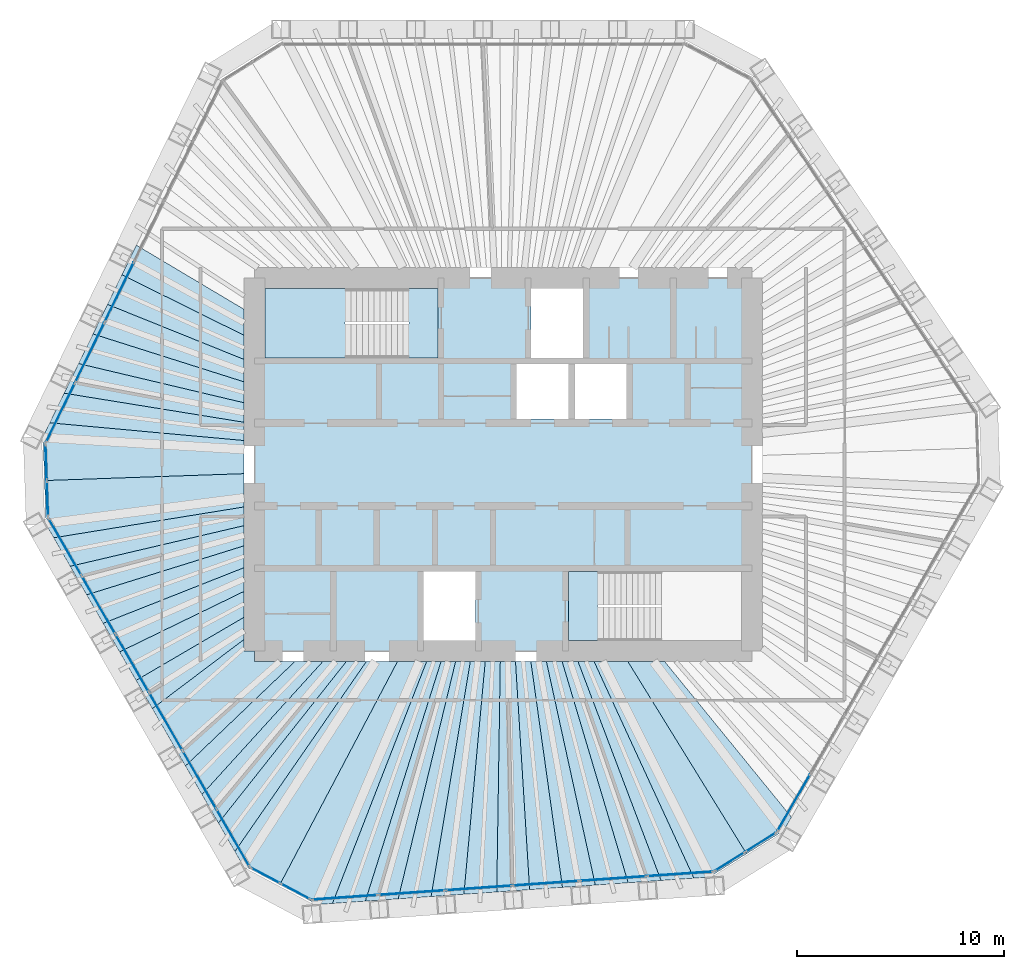
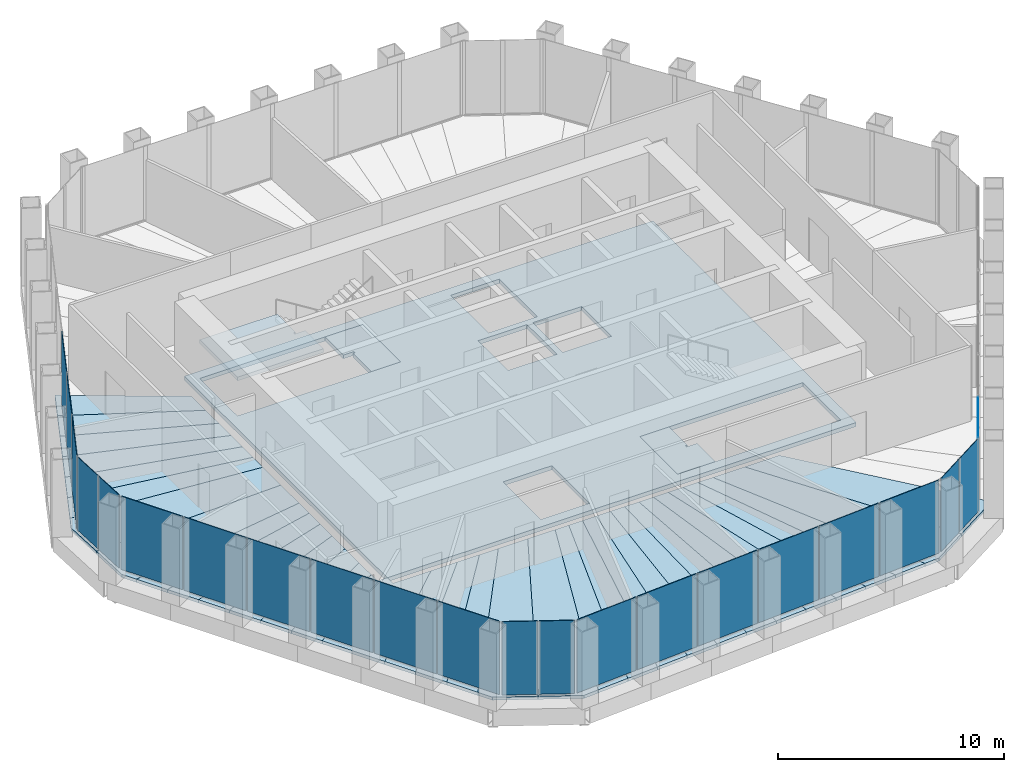
# One storey, part 9 of 14: 37 slabs, 22 plates, 9 elements without a shape of their own.
"""IFC4 building model written with IfcOpenShell, lengths in metres."""

from ifc_helpers import new_model, si_unit, direction, frame, origin, origin_2d, place, context, subcontext, project, spatial, polyline, rectangle, outline, extrude, material, layer, layer_set, type_object, element, aggregate, save


model = new_model("IFC4")

# Units and contexts
model_context = context("Model", 3, precision=1e-05, world=origin(), true_north=direction((0.0, 1.0)))
body_context = subcontext(model_context, "Body", "Model", "MODEL_VIEW")
ifc_project = project(units=[si_unit("LENGTHUNIT", "METRE"), si_unit("AREAUNIT", "SQUARE_METRE"), si_unit("VOLUMEUNIT", "CUBIC_METRE"), si_unit("PLANEANGLEUNIT", "RADIAN"), si_unit("MASSUNIT", "GRAM", prefix="KILO")], contexts=[model_context])

# Site, building, storey
site_placement = place(None, origin())
site = spatial("IfcSite", under=ifc_project, at=site_placement, CompositionType="ELEMENT")
building_placement = place(site_placement, origin())
building = spatial("IfcBuilding", under=site, at=building_placement, Name="Qingtian Harvest Tower", CompositionType="ELEMENT")
storey_placement = place(building_placement, frame((0.0, 0.0, 270.39990234375)))
storey = spatial("IfcBuildingStorey", under=building, at=storey_placement, Name="L59", CompositionType="ELEMENT", Elevation=270.39990234375)

# Slabs
ifc_material_1 = material(Name="Concrete fc' 35 MPa", Category="concrete")
ifc_layer_1 = layer(ifc_material_1, 0.169921875)
ifc_layer_set_1 = layer_set([ifc_layer_1], Name="Composite floor slab FS17 170")
slab_type_1 = type_object("IfcSlabType", Name="Composite floor slab FS17 170", PredefinedType="FLOOR", material=ifc_layer_set_1)
slab_1_placement = place(storey_placement, frame((0.0, 0.0, -0.169921875)))
element("IfcSlab", 1, at=slab_1_placement, inside=storey, type_object=slab_type_1, Name="Floor slab L59 panel D01", PredefinedType="FLOOR", context=body_context, shape_type="SweptSolid", body=[
    extrude(outline(polyline([(-22.1396484375, -0.7734375), (-12.5, -0.4404296875), (-12.5, -2.044921875), (-21.693603515625, -3.53564453125), (-22.06591796875, -2.890869140625), (-22.1396484375, -0.7734375)])), origin(), (0.0, 0.0, 1.0), 0.169921875),
])
slab_2_placement = place(storey_placement, frame((0.0, 0.0, -0.169921875)))
element("IfcSlab", 2, at=slab_2_placement, inside=storey, type_object=slab_type_1, Name="Floor slab L59 panel D02", PredefinedType="FLOOR", context=body_context, shape_type="SweptSolid", body=[
    extrude(outline(polyline([(-12.5, -2.94677734375), (-20.898681640625, -4.912109375), (-21.693603515625, -3.53564453125), (-12.5, -2.044921875), (-12.5, -2.94677734375)])), origin(), (0.0, 0.0, 1.0), 0.169921875),
])
slab_3_placement = place(storey_placement, frame((0.0, 0.0, -0.169921875)))
element("IfcSlab", 3, at=slab_3_placement, inside=storey, type_object=slab_type_1, Name="Floor slab L59 panel D03", PredefinedType="FLOOR", context=body_context, shape_type="SweptSolid", body=[
    extrude(outline(polyline([(-12.5, -3.919921875), (-20.10400390625, -6.288818359375), (-20.898681640625, -4.912109375), (-12.5, -2.94677734375), (-12.5, -3.919921875)])), origin(), (0.0, 0.0, 1.0), 0.169921875),
])
slab_4_placement = place(storey_placement, frame((0.0, 0.0, -0.169921875)))
element("IfcSlab", 4, at=slab_4_placement, inside=storey, type_object=slab_type_1, Name="Floor slab L59 panel D04", PredefinedType="FLOOR", context=body_context, shape_type="SweptSolid", body=[
    extrude(outline(polyline([(-12.5, -4.973388671875), (-19.30908203125, -7.66552734375), (-20.10400390625, -6.288818359375), (-12.5, -3.919921875), (-12.5, -4.973388671875)])), origin(), (0.0, 0.0, 1.0), 0.169921875),
])
slab_5_placement = place(storey_placement, frame((0.0, 0.0, -0.169921875)))
element("IfcSlab", 5, at=slab_5_placement, inside=storey, type_object=slab_type_1, Name="Floor slab L59 panel D05", PredefinedType="FLOOR", context=body_context, shape_type="SweptSolid", body=[
    extrude(outline(polyline([(-12.5, -6.1171875), (-18.51416015625, -9.042236328125), (-19.30908203125, -7.66552734375), (-12.5, -4.973388671875), (-12.5, -6.1171875)])), origin(), (0.0, 0.0, 1.0), 0.169921875),
])
slab_6_placement = place(storey_placement, frame((0.0, 0.0, -0.169921875)))
element("IfcSlab", 6, at=slab_6_placement, inside=storey, type_object=slab_type_1, Name="Floor slab L59 panel D06", PredefinedType="FLOOR", context=body_context, shape_type="SweptSolid", body=[
    extrude(outline(polyline([(-12.5, -7.364013671875), (-17.719482421875, -10.419189453125), (-18.51416015625, -9.042236328125), (-12.5, -6.1171875), (-12.5, -7.364013671875)])), origin(), (0.0, 0.0, 1.0), 0.169921875),
])
slab_7_placement = place(storey_placement, frame((0.0, 0.0, -0.169921875)))
element("IfcSlab", 7, at=slab_7_placement, inside=storey, type_object=slab_type_1, Name="Floor slab L59 panel D07", PredefinedType="FLOOR", context=body_context, shape_type="SweptSolid", body=[
    extrude(outline(polyline([(-12.5, -8.432373046875), (-16.93359375, -11.780029296875), (-17.719482421875, -10.419189453125), (-12.5, -7.364013671875), (-12.5, -8.432373046875)])), origin(), (0.0, 0.0, 1.0), 0.169921875),
])
slab_8_placement = place(storey_placement, frame((0.0, 0.0, -0.169921875)))
element("IfcSlab", 8, at=slab_8_placement, inside=storey, type_object=slab_type_1, Name="Floor slab L59 panel D09", PredefinedType="FLOOR", context=body_context, shape_type="SweptSolid", body=[
    extrude(outline(polyline([(-15.336181640625, -14.547119140625), (-16.93359375, -11.780029296875), (-12.5, -8.432373046875), (-12.5, -9.0), (-12.0, -9.0), (-12.0, -9.5), (-10.048828125, -9.5), (-15.336181640625, -14.547119140625)])), origin(), (0.0, 0.0, 1.0), 0.169921875),
])
slab_9_placement = place(storey_placement, frame((0.0, 0.0, -0.169921875)))
element("IfcSlab", 9, at=slab_9_placement, inside=storey, type_object=slab_type_1, Name="Floor slab L59 panel D10", PredefinedType="FLOOR", context=body_context, shape_type="SweptSolid", body=[
    extrude(outline(polyline([(-8.70068359375, -9.5), (-14.541259765625, -15.924072265625), (-15.336181640625, -14.547119140625), (-10.048828125, -9.5), (-8.70068359375, -9.5)])), origin(), (0.0, 0.0, 1.0), 0.169921875),
])
slab_10_placement = place(storey_placement, frame((0.0, 0.0, -0.169921875)))
element("IfcSlab", 10, at=slab_10_placement, inside=storey, type_object=slab_type_1, Name="Floor slab L59 panel D11", PredefinedType="FLOOR", context=body_context, shape_type="SweptSolid", body=[
    extrude(outline(polyline([(-7.568359375, -9.5), (-13.746337890625, -17.30078125), (-14.541259765625, -15.924072265625), (-8.70068359375, -9.5), (-7.568359375, -9.5)])), origin(), (0.0, 0.0, 1.0), 0.169921875),
])
slab_11_placement = place(storey_placement, frame((0.0, 0.0, -0.169921875)))
element("IfcSlab", 11, at=slab_11_placement, inside=storey, type_object=slab_type_1, Name="Floor slab L59 panel D12", PredefinedType="FLOOR", context=body_context, shape_type="SweptSolid", body=[
    extrude(outline(polyline([(-6.603515625, -9.5), (-12.951416015625, -18.677734375), (-13.746337890625, -17.30078125), (-7.568359375, -9.5), (-6.603515625, -9.5)])), origin(), (0.0, 0.0, 1.0), 0.169921875),
])
slab_12_placement = place(storey_placement, frame((0.0, 0.0, -0.169921875)))
element("IfcSlab", 12, at=slab_12_placement, inside=storey, type_object=slab_type_1, Name="Floor slab L59 panel D13", PredefinedType="FLOOR", context=body_context, shape_type="SweptSolid", body=[
    extrude(outline(polyline([(-6.603515625, -9.5), (-5.10009765625, -9.5), (-10.783447265625, -20.277099609375), (-12.5791015625, -19.322509765625), (-12.951416015625, -18.677734375), (-6.603515625, -9.5)])), origin(), (0.0, 0.0, 1.0), 0.169921875),
])
slab_13_placement = place(storey_placement, frame((0.0, 0.0, -0.169921875)))
element("IfcSlab", 13, at=slab_13_placement, inside=storey, type_object=slab_type_1, Name="Floor slab L59 panel D14", PredefinedType="FLOOR", context=body_context, shape_type="SweptSolid", body=[
    extrude(outline(polyline([(-5.10009765625, -9.5), (-3.696044921875, -9.5), (-8.24267578125, -21.181640625), (-8.98486328125, -21.2333984375), (-10.783447265625, -20.277099609375), (-5.10009765625, -9.5)])), origin(), (0.0, 0.0, 1.0), 0.169921875),
])
slab_14_placement = place(storey_placement, frame((0.0, 0.0, -0.169921875)))
element("IfcSlab", 14, at=slab_14_placement, inside=storey, type_object=slab_type_1, Name="Floor slab L59 panel D15", PredefinedType="FLOOR", context=body_context, shape_type="SweptSolid", body=[
    extrude(outline(polyline([(-3.00048828125, -9.5), (-6.656982421875, -21.07080078125), (-8.24267578125, -21.181640625), (-3.696044921875, -9.5), (-3.00048828125, -9.5)])), origin(), (0.0, 0.0, 1.0), 0.169921875),
])
slab_15_placement = place(storey_placement, frame((0.0, 0.0, -0.169921875)))
element("IfcSlab", 15, at=slab_15_placement, inside=storey, type_object=slab_type_1, Name="Floor slab L59 panel D16", PredefinedType="FLOOR", context=body_context, shape_type="SweptSolid", body=[
    extrude(outline(polyline([(-2.297607421875, -9.5), (-5.0712890625, -20.959716796875), (-6.656982421875, -21.07080078125), (-3.00048828125, -9.5), (-2.297607421875, -9.5)])), origin(), (0.0, 0.0, 1.0), 0.169921875),
])
slab_16_placement = place(storey_placement, frame((0.0, 0.0, -0.169921875)))
element("IfcSlab", 16, at=slab_16_placement, inside=storey, type_object=slab_type_1, Name="Floor slab L59 panel D17", PredefinedType="FLOOR", context=body_context, shape_type="SweptSolid", body=[
    extrude(outline(polyline([(-1.58740234375, -9.5), (-3.485595703125, -20.848876953125), (-5.0712890625, -20.959716796875), (-2.297607421875, -9.5), (-1.58740234375, -9.5)])), origin(), (0.0, 0.0, 1.0), 0.169921875),
])
slab_17_placement = place(storey_placement, frame((0.0, 0.0, -0.169921875)))
element("IfcSlab", 17, at=slab_17_placement, inside=storey, type_object=slab_type_1, Name="Floor slab L59 panel D18", PredefinedType="FLOOR", context=body_context, shape_type="SweptSolid", body=[
    extrude(outline(polyline([(-0.869384765625, -9.5), (-1.89990234375, -20.738037109375), (-3.485595703125, -20.848876953125), (-1.58740234375, -9.5), (-0.869384765625, -9.5)])), origin(), (0.0, 0.0, 1.0), 0.169921875),
])
slab_18_placement = place(storey_placement, frame((0.0, 0.0, -0.169921875)))
element("IfcSlab", 18, at=slab_18_placement, inside=storey, type_object=slab_type_1, Name="Floor slab L59 panel D19", PredefinedType="FLOOR", context=body_context, shape_type="SweptSolid", body=[
    extrude(outline(polyline([(-0.143798828125, -9.5), (-0.314208984375, -20.627197265625), (-1.89990234375, -20.738037109375), (-0.869384765625, -9.5), (-0.143798828125, -9.5)])), origin(), (0.0, 0.0, 1.0), 0.169921875),
])
slab_19_placement = place(storey_placement, frame((0.0, 0.0, -0.169921875)))
element("IfcSlab", 19, at=slab_19_placement, inside=storey, type_object=slab_type_1, Name="Floor slab L59 panel D20", PredefinedType="FLOOR", context=body_context, shape_type="SweptSolid", body=[
    extrude(outline(polyline([(0.58984375, -9.5), (1.271728515625, -20.516357421875), (-0.314208984375, -20.627197265625), (-0.143798828125, -9.5), (0.58984375, -9.5)])), origin(), (0.0, 0.0, 1.0), 0.169921875),
])
slab_20_placement = place(storey_placement, frame((0.0, 0.0, -0.169921875)))
element("IfcSlab", 20, at=slab_20_placement, inside=storey, type_object=slab_type_1, Name="Floor slab L59 panel D21", PredefinedType="FLOOR", context=body_context, shape_type="SweptSolid", body=[
    extrude(outline(polyline([(1.331298828125, -9.5), (2.857421875, -20.4052734375), (1.271728515625, -20.516357421875), (0.58984375, -9.5), (1.331298828125, -9.5)])), origin(), (0.0, 0.0, 1.0), 0.169921875),
])
slab_21_placement = place(storey_placement, frame((0.0, 0.0, -0.169921875)))
element("IfcSlab", 21, at=slab_21_placement, inside=storey, type_object=slab_type_1, Name="Floor slab L59 panel D22", PredefinedType="FLOOR", context=body_context, shape_type="SweptSolid", body=[
    extrude(outline(polyline([(2.080810546875, -9.5), (4.443115234375, -20.29443359375), (2.857421875, -20.4052734375), (1.331298828125, -9.5), (2.080810546875, -9.5)])), origin(), (0.0, 0.0, 1.0), 0.169921875),
])
slab_22_placement = place(storey_placement, frame((0.0, 0.0, -0.169921875)))
element("IfcSlab", 22, at=slab_22_placement, inside=storey, type_object=slab_type_1, Name="Floor slab L59 panel D23", PredefinedType="FLOOR", context=body_context, shape_type="SweptSolid", body=[
    extrude(outline(polyline([(2.838623046875, -9.5), (6.02880859375, -20.18359375), (4.443115234375, -20.29443359375), (2.080810546875, -9.5), (2.838623046875, -9.5)])), origin(), (0.0, 0.0, 1.0), 0.169921875),
])
slab_23_placement = place(storey_placement, frame((0.0, 0.0, -0.169921875)))
element("IfcSlab", 23, at=slab_23_placement, inside=storey, type_object=slab_type_1, Name="Floor slab L59 panel D24", PredefinedType="FLOOR", context=body_context, shape_type="SweptSolid", body=[
    extrude(outline(polyline([(3.604736328125, -9.5), (7.614501953125, -20.07275390625), (6.02880859375, -20.18359375), (2.838623046875, -9.5), (3.604736328125, -9.5)])), origin(), (0.0, 0.0, 1.0), 0.169921875),
])
slab_24_placement = place(storey_placement, frame((0.0, 0.0, -0.169921875)))
element("IfcSlab", 24, at=slab_24_placement, inside=storey, type_object=slab_type_1, Name="Floor slab L59 panel D25", PredefinedType="FLOOR", context=body_context, shape_type="SweptSolid", body=[
    extrude(outline(polyline([(4.379638671875, -9.5), (9.2001953125, -19.9619140625), (7.614501953125, -20.07275390625), (3.604736328125, -9.5), (4.379638671875, -9.5)])), origin(), (0.0, 0.0, 1.0), 0.169921875),
])
slab_25_placement = place(storey_placement, frame((0.0, 0.0, -0.169921875)))
element("IfcSlab", 25, at=slab_25_placement, inside=storey, type_object=slab_type_1, Name="Floor slab L59 panel D26", PredefinedType="FLOOR", context=body_context, shape_type="SweptSolid", body=[
    extrude(outline(polyline([(4.379638671875, -9.5), (6.0087890625, -9.5), (11.74169921875, -18.78564453125), (9.9423828125, -19.909912109375), (9.2001953125, -19.9619140625), (4.379638671875, -9.5)])), origin(), (0.0, 0.0, 1.0), 0.169921875),
])
slab_26_placement = place(storey_placement, frame((0.0, 0.0, -0.169921875)))
element("IfcSlab", 26, at=slab_26_placement, inside=storey, type_object=slab_type_1, Name="Floor slab L59 panel D27", PredefinedType="FLOOR", context=body_context, shape_type="SweptSolid", body=[
    extrude(outline(polyline([(6.0087890625, -9.5), (7.78515625, -9.5), (13.908935546875, -17.01904296875), (13.53662109375, -17.6640625), (11.74169921875, -18.78564453125), (6.0087890625, -9.5)])), origin(), (0.0, 0.0, 1.0), 0.169921875),
])
slab_27_placement = place(storey_placement, frame((0.0, 0.0, -0.169921875)))
element("IfcSlab", 27, at=slab_27_placement, inside=storey, type_object=slab_type_1, Name="Floor slab L59 panel D72", PredefinedType="FLOOR", context=body_context, shape_type="SweptSolid", body=[
    extrude(outline(polyline([(-12.5, 6.23095703125), (-18.403076171875, 9.157470703125), (-17.706298828125, 10.58642578125), (-12.5, 7.48583984375), (-12.5, 6.23095703125)])), origin(), (0.0, 0.0, 1.0), 0.169921875),
])
slab_28_placement = place(storey_placement, frame((0.0, 0.0, -0.169921875)))
element("IfcSlab", 28, at=slab_28_placement, inside=storey, type_object=slab_type_1, Name="Floor slab L59 panel D73", PredefinedType="FLOOR", context=body_context, shape_type="SweptSolid", body=[
    extrude(outline(polyline([(-12.5, 5.06787109375), (-19.10009765625, 7.728759765625), (-18.403076171875, 9.157470703125), (-12.5, 6.23095703125), (-12.5, 5.06787109375)])), origin(), (0.0, 0.0, 1.0), 0.169921875),
])
slab_29_placement = place(storey_placement, frame((0.0, 0.0, -0.169921875)))
element("IfcSlab", 29, at=slab_29_placement, inside=storey, type_object=slab_type_1, Name="Floor slab L59 panel D74", PredefinedType="FLOOR", context=body_context, shape_type="SweptSolid", body=[
    extrude(outline(polyline([(-12.5, 3.986572265625), (-19.796875, 6.2998046875), (-19.10009765625, 7.728759765625), (-12.5, 5.06787109375), (-12.5, 3.986572265625)])), origin(), (0.0, 0.0, 1.0), 0.169921875),
])
slab_30_placement = place(storey_placement, frame((0.0, 0.0, -0.169921875)))
element("IfcSlab", 30, at=slab_30_placement, inside=storey, type_object=slab_type_1, Name="Floor slab L59 panel D75", PredefinedType="FLOOR", context=body_context, shape_type="SweptSolid", body=[
    extrude(outline(polyline([(-12.5, 2.97900390625), (-20.49365234375, 4.87109375), (-19.796875, 6.2998046875), (-12.5, 3.986572265625), (-12.5, 2.97900390625)])), origin(), (0.0, 0.0, 1.0), 0.169921875),
])
slab_31_placement = place(storey_placement, frame((0.0, 0.0, -0.169921875)))
element("IfcSlab", 31, at=slab_31_placement, inside=storey, type_object=slab_type_1, Name="Floor slab L59 panel D76", PredefinedType="FLOOR", context=body_context, shape_type="SweptSolid", body=[
    extrude(outline(polyline([(-12.5, 2.037841796875), (-21.190673828125, 3.4423828125), (-20.49365234375, 4.87109375), (-12.5, 2.97900390625), (-12.5, 2.037841796875)])), origin(), (0.0, 0.0, 1.0), 0.169921875),
])
slab_32_placement = place(storey_placement, frame((0.0, 0.0, -0.169921875)))
element("IfcSlab", 32, at=slab_32_placement, inside=storey, type_object=slab_type_1, Name="Floor slab L59 panel D77", PredefinedType="FLOOR", context=body_context, shape_type="SweptSolid", body=[
    extrude(outline(polyline([(-12.5, 1.156494140625), (-21.887451171875, 2.013671875), (-21.190673828125, 3.4423828125), (-12.5, 2.037841796875), (-12.5, 1.156494140625)])), origin(), (0.0, 0.0, 1.0), 0.169921875),
])
slab_33_placement = place(storey_placement, frame((0.0, 0.0, -0.169921875)))
element("IfcSlab", 33, at=slab_33_placement, inside=storey, type_object=slab_type_1, Name="Floor slab L59 panel D78", PredefinedType="FLOOR", context=body_context, shape_type="SweptSolid", body=[
    extrude(outline(polyline([(-12.5, 1.156494140625), (-12.5, -0.4404296875), (-22.1396484375, -0.7734375), (-22.213623046875, 1.3447265625), (-21.887451171875, 2.013671875), (-12.5, 1.156494140625)])), origin(), (0.0, 0.0, 1.0), 0.169921875),
])
ifc_material_2 = material(Name="Concrete fc' 35 MPa", Category="concrete")
ifc_layer_2 = layer(ifc_material_2, 0.219970703125)
ifc_layer_set_2 = layer_set([ifc_layer_2], Name="Core floor slab CS22 220")
slab_type_2 = type_object("IfcSlabType", Name="Core floor slab CS22 220", PredefinedType="FLOOR", material=ifc_layer_set_2)
slab_34_placement = place(storey_placement, frame((0.0, 0.0, -0.219970703125)))
element("IfcSlab", 34, at=slab_34_placement, inside=storey, type_object=slab_type_2, Name="Core floor slab L59", PredefinedType="FLOOR", context=body_context, shape_type="SweptSolid", body=[
    extrude(outline(polyline([(-12.0, -9.0), (12.0, -9.0), (12.0, 9.0), (-12.0, 9.0), (-12.0, -9.0)]), holes=[polyline([(-11.5, 5.14990234375), (-3.14990234375, 5.14990234375), (-3.14990234375, 8.5), (-11.5, 8.5), (-11.5, 5.14990234375)]), polyline([(3.14990234375, -8.5), (11.5, -8.5), (11.5, -5.14990234375), (3.14990234375, -5.14990234375), (3.14990234375, -8.5)]), polyline([(1.35009765625, 5.14990234375), (3.85009765625, 5.14990234375), (3.85009765625, 8.5), (1.35009765625, 8.5), (1.35009765625, 5.14990234375)]), polyline([(-3.85009765625, -8.5), (-1.35009765625, -8.5), (-1.35009765625, -5.14990234375), (-3.85009765625, -5.14990234375), (-3.85009765625, -8.5)]), polyline([(0.64990234375, 2.199951171875), (3.14990234375, 2.199951171875), (3.14990234375, 4.85009765625), (0.64990234375, 4.85009765625), (0.64990234375, 2.199951171875)]), polyline([(3.449951171875, 2.199951171875), (5.949951171875, 2.199951171875), (5.949951171875, 4.85009765625), (3.449951171875, 4.85009765625), (3.449951171875, 2.199951171875)])]), origin(), (0.0, 0.0, 1.0), 0.219970703125),
])

# Curtain wall, plate
ifc_material_3 = material(Name="Bronze-anodised aluminium curtain wall", Category="aluminium")
curtain_wall_type = type_object("IfcCurtainWallType", Name="Curtain wall CW5 upper office", PredefinedType="USERDEFINED", material=ifc_material_3)
curtain_wall_1_placement = place(storey_placement, origin())
curtain_wall_1 = element("IfcCurtainWall", 35, at=curtain_wall_1_placement, inside=storey, type_object=curtain_wall_type, Name="Curtain wall CW5 L59 SE0-5", ObjectType="RECESSED CURTAIN WALL", PredefinedType="USERDEFINED")
ifc_material_4 = material(Name="Bronze-tinted laminated insulating glass", Category="glass")
ifc_layer_3 = layer(ifc_material_4, 0.030029296875)
ifc_layer_set_3 = layer_set([ifc_layer_3], Name="Glazed panel CWP tinted IGU")
plate_type = type_object("IfcPlateType", Name="Glazed panel CWP tinted IGU", PredefinedType="CURTAIN_PANEL", material=ifc_layer_set_3)
plate_1_placement = place(storey_placement, frame((14.017578125, -16.321044921875, 0.06494140625), z_axis=(0.0, 0.0, 1.0), x_axis=(-0.5, -0.866025403784, 0.0)))
plate_1 = element("IfcPlate", 36, at=plate_1_placement, type_object=plate_type, Name="CW5 panel 6.1", PredefinedType="CURTAIN_PANEL", context=body_context, shape_type="SweptSolid", body=[
    extrude(rectangle(XDim=3.150634765625, YDim=0.030029296875, at=origin_2d()), origin(), (0.0, 0.0, 1.0), 3.965087890625),
])
aggregate(curtain_wall_1, [plate_1])

# Curtain wall, plates
curtain_wall_2_placement = place(storey_placement, origin())
curtain_wall_2 = element("IfcCurtainWall", 37, at=curtain_wall_2_placement, inside=storey, type_object=curtain_wall_type, Name="Curtain wall CW5 L59 SEC", ObjectType="RECESSED CURTAIN WALL", PredefinedType="USERDEFINED")
plate_2_placement = place(storey_placement, frame((12.42431640625, -18.224609375, 0.06494140625), z_axis=(0.0, 0.0, 1.0), x_axis=(-0.848048096156, -0.529919264233, 0.0)))
plate_2 = element("IfcPlate", 38, at=plate_2_placement, type_object=plate_type, Name="CW5 panel 1.1", PredefinedType="CURTAIN_PANEL", context=body_context, shape_type="SweptSolid", body=[
    extrude(rectangle(XDim=1.69287109375, YDim=0.030029296875, at=origin_2d()), origin(), (0.0, 0.0, 1.0), 3.965087890625),
])
plate_3_placement = place(storey_placement, frame((10.93359375, -19.156005859375, 0.06494140625), z_axis=(0.0, 0.0, 1.0), x_axis=(-0.848048096156, -0.529919264233, 0.0)))
plate_3 = element("IfcPlate", 39, at=plate_3_placement, type_object=plate_type, Name="CW5 panel 2.1", PredefinedType="CURTAIN_PANEL", context=body_context, shape_type="SweptSolid", body=[
    extrude(rectangle(XDim=1.69287109375, YDim=0.030029296875, at=origin_2d()), origin(), (0.0, 0.0, 1.0), 3.965087890625),
])
aggregate(curtain_wall_2, [plate_2, plate_3])

curtain_wall_3_placement = place(storey_placement, origin())
curtain_wall_3 = element("IfcCurtainWall", 40, at=curtain_wall_3_placement, inside=storey, type_object=curtain_wall_type, Name="Curtain wall CW5 L59 S0-5", ObjectType="RECESSED CURTAIN WALL", PredefinedType="USERDEFINED")
plate_4_placement = place(storey_placement, frame((8.5244140625, -19.75341796875, 0.06494140625), z_axis=(0.0, 0.0, 1.0), x_axis=(-0.99756405026, -0.069756473744, 0.0)))
plate_4 = element("IfcPlate", 41, at=plate_4_placement, type_object=plate_type, Name="CW5 panel 1.1", PredefinedType="CURTAIN_PANEL", context=body_context, shape_type="SweptSolid", body=[
    extrude(rectangle(XDim=3.150634765625, YDim=0.030029296875, at=origin_2d()), origin(), (0.0, 0.0, 1.0), 3.965087890625),
])
plate_5_placement = place(storey_placement, frame((5.300537109375, -19.97900390625, 0.06494140625), z_axis=(0.0, 0.0, 1.0), x_axis=(-0.99756405026, -0.069756473744, 0.0)))
plate_5 = element("IfcPlate", 42, at=plate_5_placement, type_object=plate_type, Name="CW5 panel 2.1", PredefinedType="CURTAIN_PANEL", context=body_context, shape_type="SweptSolid", body=[
    extrude(rectangle(XDim=3.18310546875, YDim=0.030029296875, at=origin_2d()), origin(), (0.0, 0.0, 1.0), 3.965087890625),
])
plate_6_placement = place(storey_placement, frame((2.060302734375, -20.20556640625, 0.06494140625), z_axis=(0.0, 0.0, 1.0), x_axis=(-0.99756405026, -0.069756473744, 0.0)))
plate_6 = element("IfcPlate", 43, at=plate_6_placement, type_object=plate_type, Name="CW5 panel 3.1", PredefinedType="CURTAIN_PANEL", context=body_context, shape_type="SweptSolid", body=[
    extrude(rectangle(XDim=3.18310546875, YDim=0.030029296875, at=origin_2d()), origin(), (0.0, 0.0, 1.0), 3.965087890625),
])
plate_7_placement = place(storey_placement, frame((-1.1796875, -20.43212890625, 0.06494140625), z_axis=(0.0, 0.0, 1.0), x_axis=(-0.99756405026, -0.069756473744, 0.0)))
plate_7 = element("IfcPlate", 44, at=plate_7_placement, type_object=plate_type, Name="CW5 panel 4.1", PredefinedType="CURTAIN_PANEL", context=body_context, shape_type="SweptSolid", body=[
    extrude(rectangle(XDim=3.18310546875, YDim=0.030029296875, at=origin_2d()), origin(), (0.0, 0.0, 1.0), 3.965087890625),
])
plate_8_placement = place(storey_placement, frame((-4.419921875, -20.65869140625, 0.06494140625), z_axis=(0.0, 0.0, 1.0), x_axis=(-0.99756405026, -0.069756473744, 0.0)))
plate_8 = element("IfcPlate", 45, at=plate_8_placement, type_object=plate_type, Name="CW5 panel 5.1", PredefinedType="CURTAIN_PANEL", context=body_context, shape_type="SweptSolid", body=[
    extrude(rectangle(XDim=3.18310546875, YDim=0.030029296875, at=origin_2d()), origin(), (0.0, 0.0, 1.0), 3.965087890625),
])
plate_9_placement = place(storey_placement, frame((-7.643798828125, -20.884033203125, 0.06494140625), z_axis=(0.0, 0.0, 1.0), x_axis=(-0.99756405026, -0.069756473744, 0.0)))
plate_9 = element("IfcPlate", 46, at=plate_9_placement, type_object=plate_type, Name="CW5 panel 6.1", PredefinedType="CURTAIN_PANEL", context=body_context, shape_type="SweptSolid", body=[
    extrude(rectangle(XDim=3.150634765625, YDim=0.030029296875, at=origin_2d()), origin(), (0.0, 0.0, 1.0), 3.965087890625),
])
aggregate(curtain_wall_3, [plate_4, plate_5, plate_6, plate_7, plate_8, plate_9])

curtain_wall_4_placement = place(storey_placement, origin())
curtain_wall_4 = element("IfcCurtainWall", 47, at=curtain_wall_4_placement, inside=storey, type_object=curtain_wall_type, Name="Curtain wall CW5 L59 SC", ObjectType="RECESSED CURTAIN WALL", PredefinedType="USERDEFINED")
plate_10_placement = place(storey_placement, frame((-10.029296875, -20.60009765625, 0.06494140625), z_axis=(0.0, 0.0, 1.0), x_axis=(-0.882947592859, 0.469471562786, 0.0)))
plate_10 = element("IfcPlate", 48, at=plate_10_placement, type_object=plate_type, Name="CW5 panel 1.1", PredefinedType="CURTAIN_PANEL", context=body_context, shape_type="SweptSolid", body=[
    extrude(rectangle(XDim=1.56689453125, YDim=0.030029296875, at=origin_2d()), origin(), (0.0, 0.0, 1.0), 3.965087890625),
])
plate_11_placement = place(storey_placement, frame((-11.469970703125, -19.833984375, 0.06494140625), z_axis=(0.0, 0.0, 1.0), x_axis=(-0.882947592859, 0.469471562786, 0.0)))
plate_11 = element("IfcPlate", 49, at=plate_11_placement, type_object=plate_type, Name="CW5 panel 2.1", PredefinedType="CURTAIN_PANEL", context=body_context, shape_type="SweptSolid", body=[
    extrude(rectangle(XDim=1.56689453125, YDim=0.030029296875, at=origin_2d()), origin(), (0.0, 0.0, 1.0), 3.965087890625),
])
aggregate(curtain_wall_4, [plate_10, plate_11])

curtain_wall_5_placement = place(storey_placement, origin())
curtain_wall_5 = element("IfcCurtainWall", 50, at=curtain_wall_5_placement, inside=storey, type_object=curtain_wall_type, Name="Curtain wall CW5 L59 SW0-5", ObjectType="RECESSED CURTAIN WALL", PredefinedType="USERDEFINED")
plate_12_placement = place(storey_placement, frame((-13.039306640625, -18.01513671875, 0.06494140625), z_axis=(0.0, 0.0, 1.0), x_axis=(-0.5, 0.866025403784, 0.0)))
plate_12 = element("IfcPlate", 51, at=plate_12_placement, type_object=plate_type, Name="CW5 panel 1.1", PredefinedType="CURTAIN_PANEL", context=body_context, shape_type="SweptSolid", body=[
    extrude(rectangle(XDim=3.150634765625, YDim=0.030029296875, at=origin_2d()), origin(), (0.0, 0.0, 1.0), 3.965087890625),
])
plate_13_placement = place(storey_placement, frame((-14.6552734375, -15.216552734375, 0.06494140625), z_axis=(0.0, 0.0, 1.0), x_axis=(-0.5, 0.866025403784, 0.0)))
plate_13 = element("IfcPlate", 52, at=plate_13_placement, type_object=plate_type, Name="CW5 panel 2.1", PredefinedType="CURTAIN_PANEL", context=body_context, shape_type="SweptSolid", body=[
    extrude(rectangle(XDim=3.18310546875, YDim=0.030029296875, at=origin_2d()), origin(), (0.0, 0.0, 1.0), 3.965087890625),
])
plate_14_placement = place(storey_placement, frame((-16.279296875, -12.403564453125, 0.06494140625), z_axis=(0.0, 0.0, 1.0), x_axis=(-0.5, 0.866025403784, 0.0)))
plate_14 = element("IfcPlate", 53, at=plate_14_placement, type_object=plate_type, Name="CW5 panel 3.1", PredefinedType="CURTAIN_PANEL", context=body_context, shape_type="SweptSolid", body=[
    extrude(rectangle(XDim=3.18310546875, YDim=0.030029296875, at=origin_2d()), origin(), (0.0, 0.0, 1.0), 3.965087890625),
])
plate_15_placement = place(storey_placement, frame((-17.9033203125, -9.590576171875, 0.06494140625), z_axis=(0.0, 0.0, 1.0), x_axis=(-0.5, 0.866025403784, 0.0)))
plate_15 = element("IfcPlate", 54, at=plate_15_placement, type_object=plate_type, Name="CW5 panel 4.1", PredefinedType="CURTAIN_PANEL", context=body_context, shape_type="SweptSolid", body=[
    extrude(rectangle(XDim=3.18310546875, YDim=0.030029296875, at=origin_2d()), origin(), (0.0, 0.0, 1.0), 3.965087890625),
])
plate_16_placement = place(storey_placement, frame((-19.52734375, -6.77783203125, 0.06494140625), z_axis=(0.0, 0.0, 1.0), x_axis=(-0.5, 0.866025403784, 0.0)))
plate_16 = element("IfcPlate", 55, at=plate_16_placement, type_object=plate_type, Name="CW5 panel 5.1", PredefinedType="CURTAIN_PANEL", context=body_context, shape_type="SweptSolid", body=[
    extrude(rectangle(XDim=3.18310546875, YDim=0.030029296875, at=origin_2d()), origin(), (0.0, 0.0, 1.0), 3.965087890625),
])
plate_17_placement = place(storey_placement, frame((-21.14306640625, -3.97900390625, 0.06494140625), z_axis=(0.0, 0.0, 1.0), x_axis=(-0.5, 0.866025403784, 0.0)))
plate_17 = element("IfcPlate", 56, at=plate_17_placement, type_object=plate_type, Name="CW5 panel 6.1", PredefinedType="CURTAIN_PANEL", context=body_context, shape_type="SweptSolid", body=[
    extrude(rectangle(XDim=3.150634765625, YDim=0.030029296875, at=origin_2d()), origin(), (0.0, 0.0, 1.0), 3.965087890625),
])
aggregate(curtain_wall_5, [plate_12, plate_13, plate_14, plate_15, plate_16, plate_17])

curtain_wall_6_placement = place(storey_placement, origin())
curtain_wall_6 = element("IfcCurtainWall", 57, at=curtain_wall_6_placement, inside=storey, type_object=curtain_wall_type, Name="Curtain wall CW5 L59 SWC", ObjectType="RECESSED CURTAIN WALL", PredefinedType="USERDEFINED")
plate_18_placement = place(storey_placement, frame((-21.9951171875, -1.647705078125, 0.06494140625), z_axis=(0.0, 0.0, 1.0), x_axis=(-0.034899496703, 0.999390827019, 0.0)))
plate_18 = element("IfcPlate", 58, at=plate_18_placement, type_object=plate_type, Name="CW5 panel 1.1", PredefinedType="CURTAIN_PANEL", context=body_context, shape_type="SweptSolid", body=[
    extrude(rectangle(XDim=1.69287109375, YDim=0.030029296875, at=origin_2d()), origin(), (0.0, 0.0, 1.0), 3.965087890625),
])
plate_19_placement = place(storey_placement, frame((-22.056396484375, 0.109375, 0.06494140625), z_axis=(0.0, 0.0, 1.0), x_axis=(-0.034899496703, 0.999390827019, 0.0)))
plate_19 = element("IfcPlate", 59, at=plate_19_placement, type_object=plate_type, Name="CW5 panel 2.1", PredefinedType="CURTAIN_PANEL", context=body_context, shape_type="SweptSolid", body=[
    extrude(rectangle(XDim=1.69287109375, YDim=0.030029296875, at=origin_2d()), origin(), (0.0, 0.0, 1.0), 3.965087890625),
])
aggregate(curtain_wall_6, [plate_18, plate_19])

curtain_wall_7_placement = place(storey_placement, origin())
curtain_wall_7 = element("IfcCurtainWall", 60, at=curtain_wall_7_placement, inside=storey, type_object=curtain_wall_type, Name="Curtain wall CW5 L59 NW0-5", ObjectType="RECESSED CURTAIN WALL", PredefinedType="USERDEFINED")
plate_20_placement = place(storey_placement, frame((-21.369140625, 2.494384765625, 0.06494140625), z_axis=(0.0, 0.0, 1.0), x_axis=(0.438371146789, 0.898794046299, 0.0)))
plate_20 = element("IfcPlate", 61, at=plate_20_placement, type_object=plate_type, Name="CW5 panel 1.1", PredefinedType="CURTAIN_PANEL", context=body_context, shape_type="SweptSolid", body=[
    extrude(rectangle(XDim=3.150634765625, YDim=0.030029296875, at=origin_2d()), origin(), (0.0, 0.0, 1.0), 3.965087890625),
])
plate_21_placement = place(storey_placement, frame((-19.952392578125, 5.399169921875, 0.06494140625), z_axis=(0.0, 0.0, 1.0), x_axis=(0.438371146789, 0.898794046299, 0.0)))
plate_21 = element("IfcPlate", 62, at=plate_21_placement, type_object=plate_type, Name="CW5 panel 2.1", PredefinedType="CURTAIN_PANEL", context=body_context, shape_type="SweptSolid", body=[
    extrude(rectangle(XDim=3.18310546875, YDim=0.030029296875, at=origin_2d()), origin(), (0.0, 0.0, 1.0), 3.965087890625),
])
plate_22_placement = place(storey_placement, frame((-18.528564453125, 8.318359375, 0.06494140625), z_axis=(0.0, 0.0, 1.0), x_axis=(0.438371146789, 0.898794046299, 0.0)))
plate_22 = element("IfcPlate", 63, at=plate_22_placement, type_object=plate_type, Name="CW5 panel 3.1", PredefinedType="CURTAIN_PANEL", context=body_context, shape_type="SweptSolid", body=[
    extrude(rectangle(XDim=3.18310546875, YDim=0.030029296875, at=origin_2d()), origin(), (0.0, 0.0, 1.0), 3.965087890625),
])
aggregate(curtain_wall_7, [plate_20, plate_21, plate_22])

# Stair, slabs
ifc_material_5 = material(Name="Concrete fc' 35 MPa", Category="concrete")
stair_type = type_object("IfcStairType", Name="Special stair ST6 4200", PredefinedType="HALF_TURN_STAIR", material=ifc_material_5)
stair_1_placement = place(storey_placement, origin())
stair_1 = element("IfcStair", 64, at=stair_1_placement, inside=storey, type_object=stair_type, Name="Special stair S1 L59", PredefinedType="HALF_TURN_STAIR")
ifc_material_6 = material(Name="Concrete fc' 35 MPa", Category="concrete")
ifc_layer_4 = layer(ifc_material_6, 0.199951171875)
ifc_layer_set_4 = layer_set([ifc_layer_4], Name="Stair landing SL2 200")
slab_type_3 = type_object("IfcSlabType", Name="Stair landing SL2 200", PredefinedType="LANDING", material=ifc_layer_set_4)
slab_35_placement = place(storey_placement, frame((0.0, 0.0, -0.199951171875)))
slab_35 = element("IfcSlab", 65, at=slab_35_placement, type_object=slab_type_3, Name="S1 landing 1", PredefinedType="LANDING", context=body_context, shape_type="SweptSolid", body=[
    extrude(outline(polyline([(-4.64990234375, 5.14990234375), (-4.64990234375, 6.77490234375), (-4.550048828125, 6.77490234375), (-4.550048828125, 6.875), (-5.0849609375, 6.875), (-5.0849609375, 8.5), (-3.14990234375, 8.5), (-3.14990234375, 5.14990234375), (-4.64990234375, 5.14990234375)])), origin(), (0.0, 0.0, 1.0), 0.199951171875),
])
slab_36_placement = place(storey_placement, frame((0.0, 0.0, 1.900146484375)))
slab_36 = element("IfcSlab", 66, at=slab_36_placement, type_object=slab_type_3, Name="S1 landing 2", PredefinedType="LANDING", context=body_context, shape_type="SweptSolid", body=[
    extrude(outline(polyline([(-7.094970703125, 5.14990234375), (-11.5, 5.14990234375), (-11.5, 8.5), (-7.530029296875, 8.5), (-7.530029296875, 6.875), (-7.6298828125, 6.875), (-7.6298828125, 6.77490234375), (-7.094970703125, 6.77490234375), (-7.094970703125, 5.14990234375)])), origin(), (0.0, 0.0, 1.0), 0.199951171875),
])
aggregate(stair_1, [slab_35, slab_36])

# Stair, slab
stair_2_placement = place(storey_placement, origin())
stair_2 = element("IfcStair", 67, at=stair_2_placement, inside=storey, type_object=stair_type, Name="Special stair S2 L59", PredefinedType="HALF_TURN_STAIR")
slab_37_placement = place(storey_placement, frame((0.0, 0.0, -0.199951171875)))
slab_37 = element("IfcSlab", 68, at=slab_37_placement, type_object=slab_type_3, Name="S2 landing 1", PredefinedType="LANDING", context=body_context, shape_type="SweptSolid", body=[
    extrude(outline(polyline([(5.0849609375, -8.5), (3.14990234375, -8.5), (3.14990234375, -5.14990234375), (4.64990234375, -5.14990234375), (4.64990234375, -6.77490234375), (4.550048828125, -6.77490234375), (4.550048828125, -6.875), (5.0849609375, -6.875), (5.0849609375, -8.5)])), origin(), (0.0, 0.0, 1.0), 0.199951171875),
])
aggregate(stair_2, [slab_37])

save(model, "model.ifc")
